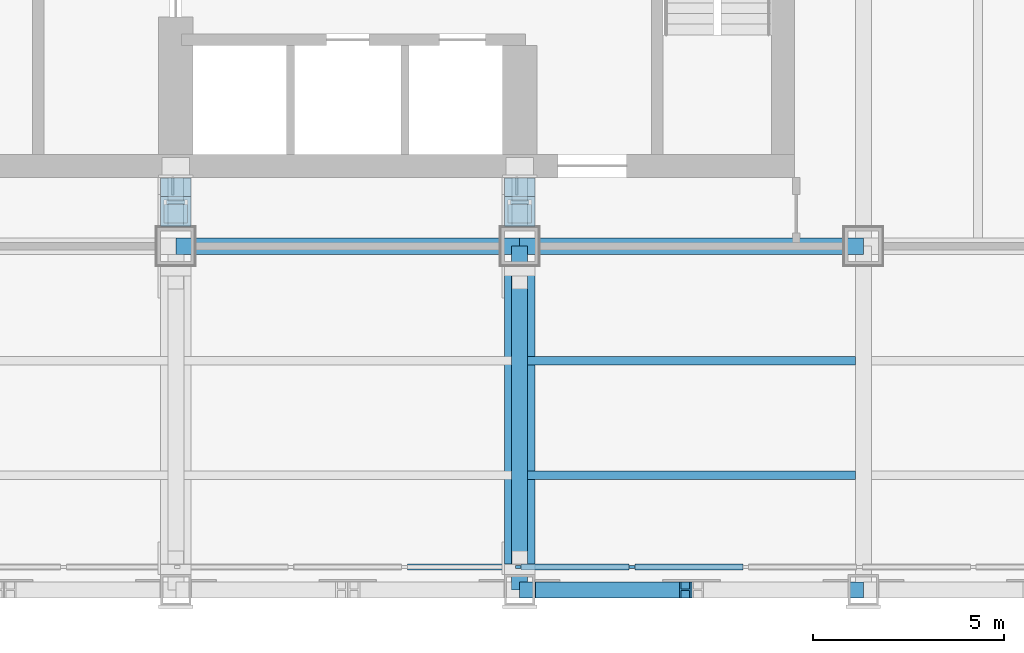
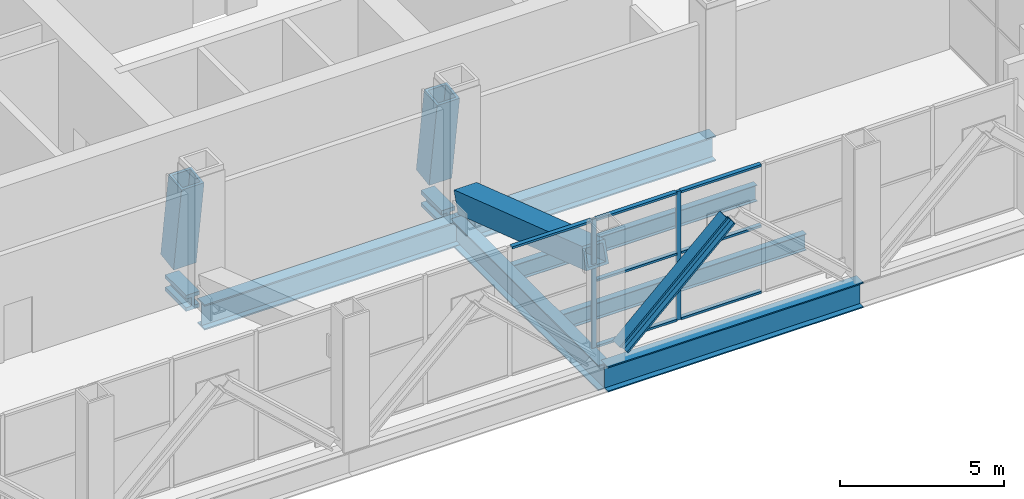
# One storey, part 3 of 16: 15 members, 6 beams, 1 element without a shape of its own.
"""IFC4 building model written with IfcOpenShell, lengths in metres."""

from ifc_helpers import new_model, si_unit, direction, frame, origin, origin_2d, place, context, subcontext, project, spatial, rectangle, hollow_rectangle, i_section, extrude, material, material_profile, profile_set, type_object, element, aggregate, save


model = new_model("IFC4")

# Units and contexts
model_context = context("Model", 3, precision=1e-05, world=origin(), true_north=direction((0.0, 1.0)))
body_context = subcontext(model_context, "Body", "Model", "MODEL_VIEW")
ifc_project = project(units=[si_unit("LENGTHUNIT", "METRE"), si_unit("AREAUNIT", "SQUARE_METRE"), si_unit("VOLUMEUNIT", "CUBIC_METRE"), si_unit("PLANEANGLEUNIT", "RADIAN"), si_unit("MASSUNIT", "GRAM", prefix="KILO")], contexts=[model_context])

# Site, building, storey
site_placement = place(None, origin())
site = spatial("IfcSite", under=ifc_project, at=site_placement, CompositionType="ELEMENT")
building_placement = place(site_placement, origin())
building = spatial("IfcBuilding", under=site, at=building_placement, Name="Loomwork Tower", CompositionType="ELEMENT")
storey_placement = place(building_placement, frame((0.0, 0.0, 155.39990234375)))
storey = spatial("IfcBuildingStorey", under=building, at=storey_placement, Name="L42", CompositionType="ELEMENT", Elevation=155.39990234375)

# Beam
ifc_material_1 = material(Name="Steel ASTM A992", Category="steel")
ifc_material_profile_1 = material_profile(ifc_material_1, i_section(OverallWidth=0.424072265625, OverallDepth=0.947509765625, WebThickness=0.02392578125, FlangeThickness=0.042724609375, at=origin_2d()), Name="W36x302")
ifc_profile_set_1 = profile_set([ifc_material_profile_1], Name="Steel ASTM A992")
beam_type_1 = type_object("IfcBeamType", Name="BELT CHORD SPANDREL W36x302", PredefinedType="SPANDREL", material=ifc_profile_set_1)
beam_1_placement = place(storey_placement, frame((27.0, 0.0, -0.7236328125), z_axis=(1.0, 0.0, 0.0), x_axis=(0.0, 1.0, 0.0)))
element("IfcBeam", 1, at=beam_1_placement, inside=storey, type_object=beam_type_1, Name="Belt Chord Spandrel D/5-D/6 L42", PredefinedType="SPANDREL", context=body_context, shape_type="SweptSolid", body=[
    extrude(i_section(OverallWidth=0.424072265625, OverallDepth=0.947509765625, WebThickness=0.02392578125, FlangeThickness=0.042724609375, at=origin_2d()), origin(), (0.0, 0.0, 1.0), 9.0),
])

# Members
ifc_material_2 = material(Name="Steel ASTM A992", Category="steel")
ifc_material_profile_2 = material_profile(ifc_material_2, i_section(OverallWidth=0.419189453125, OverallDepth=0.45458984375, WebThickness=0.042236328125, FlangeThickness=0.067626953125, at=origin_2d()), Name="W14x370")
ifc_profile_set_2 = profile_set([ifc_material_profile_2], Name="Steel ASTM A992")
member_type_1 = type_object("IfcMemberType", Name="BELT TRUSS DIAGONAL W14x370", PredefinedType="BRACE", material=ifc_profile_set_2)
member_1_placement = place(storey_placement, frame((27.564697265625, 0.0, 0.1767578125), z_axis=(0.733176969672, 0.0, 0.680037889491), x_axis=(0.0, 1.0, 0.0)))
element("IfcMember", 2, at=member_1_placement, inside=storey, type_object=member_type_1, Name="Belt truss diagonal D/5-D/6 L42", PredefinedType="BRACE", context=body_context, shape_type="SweptSolid", body=[
    extrude(i_section(OverallWidth=0.419189453125, OverallDepth=0.45458984375, WebThickness=0.042236328125, FlangeThickness=0.067626953125, at=origin_2d()), origin(), (0.0, 0.0, 1.0), 5.145751953125),
])
ifc_material_3 = material(Name="Steel ASTM A572 Grade 50 plate", Category="steel")
ifc_material_profile_3 = material_profile(ifc_material_3, hollow_rectangle(XDim=0.800048828125, YDim=0.800048828125, WallThickness=0.090087890625, at=origin_2d()), Name="BOX800x90")
ifc_profile_set_3 = profile_set([ifc_material_profile_3], Name="Steel ASTM A572 Grade 50 plate")
member_type_2 = type_object("IfcMemberType", Name="OUTRIGGER DIAGONAL BOX800x90", PredefinedType="BRACE", material=ifc_profile_set_3)
member_2_placement = place(storey_placement, frame((18.0, 9.90771484375, 3.781982421875), z_axis=(0.0, 0.146556688466, -0.98920227308), x_axis=(-1.0, 0.0, 0.0)))
element("IfcMember", 3, at=member_2_placement, inside=storey, type_object=member_type_2, Name="Outrigger diagonal E/4 L42", PredefinedType="BRACE", context=body_context, shape_type="SweptSolid", body=[
    extrude(hollow_rectangle(XDim=0.800048828125, YDim=0.800048828125, WallThickness=0.090087890625, at=origin_2d()), origin(), (0.0, 0.0, 1.0), 3.306640625),
])
member_3_placement = place(storey_placement, frame((27.0, 0.53955078125, 3.46142578125), z_axis=(0.0, 0.947848598928, -0.318720933593), x_axis=(-1.0, 0.0, 0.0)))
element("IfcMember", 4, at=member_3_placement, inside=storey, type_object=member_type_2, Name="Outrigger diagonal D/5 L42", PredefinedType="BRACE", context=body_context, shape_type="SweptSolid", body=[
    extrude(hollow_rectangle(XDim=0.800048828125, YDim=0.800048828125, WallThickness=0.090087890625, at=origin_2d()), origin(), (0.0, 0.0, 1.0), 8.25146484375),
])
member_4_placement = place(storey_placement, frame((27.0, 9.90771484375, 3.781982421875), z_axis=(0.0, 0.146556688466, -0.98920227308), x_axis=(-1.0, 0.0, 0.0)))
element("IfcMember", 5, at=member_4_placement, inside=storey, type_object=member_type_2, Name="Outrigger diagonal E/5 L42", PredefinedType="BRACE", context=body_context, shape_type="SweptSolid", body=[
    extrude(hollow_rectangle(XDim=0.800048828125, YDim=0.800048828125, WallThickness=0.090087890625, at=origin_2d()), origin(), (0.0, 0.0, 1.0), 3.306640625),
])

# Beams
ifc_material_4 = material(Name="Steel ASTM A992", Category="steel")
ifc_material_profile_4 = material_profile(ifc_material_4, i_section(OverallWidth=0.4267578125, OverallDepth=0.939697265625, WebThickness=0.028564453125, FlangeThickness=0.050537109375, at=origin_2d()), Name="W36x361")
ifc_profile_set_4 = profile_set([ifc_material_profile_4], Name="Steel ASTM A992")
beam_type_2 = type_object("IfcBeamType", Name="OUTRIGGER FLOOR GIRDER W36x361", PredefinedType="BEAM", material=ifc_profile_set_4)
for number, where, z_axis, x_axis, name in (
    (6, (18.0, 9.0, -0.7197265625), (1.0, 0.0, 0.0), (0.0, 1.0, 0.0), "Outrigger Floor Girder E/4-E/5 L42"),
    (7, (27.0, 9.0, -0.7197265625), (1.0, 0.0, 0.0), (0.0, 1.0, 0.0), "Outrigger Floor Girder E/5-E/6 L42"),
):
    element("IfcBeam", number, at=place(storey_placement, frame(where, z_axis=z_axis, x_axis=x_axis)), inside=storey, type_object=beam_type_2, Name=name, PredefinedType="BEAM", context=body_context, shape_type="SweptSolid", body=[
        extrude(i_section(OverallWidth=0.4267578125, OverallDepth=0.939697265625, WebThickness=0.028564453125, FlangeThickness=0.050537109375, at=origin_2d()), origin(), (0.0, 0.0, 1.0), 9.0),
    ])
ifc_material_5 = material(Name="Steel ASTM A992", Category="steel")
ifc_material_profile_5 = material_profile(ifc_material_5, i_section(OverallWidth=0.424072265625, OverallDepth=0.947509765625, WebThickness=0.02392578125, FlangeThickness=0.042724609375, at=origin_2d()), Name="W36x302")
ifc_profile_set_5 = profile_set([ifc_material_profile_5], Name="Steel ASTM A992")
beam_type_3 = type_object("IfcBeamType", Name="OUTRIGGER GIRDER W36x302", PredefinedType="BEAM", material=ifc_profile_set_5)
beam_2_placement = place(storey_placement, frame((27.0, 0.0, -0.7236328125), z_axis=(0.0, 1.0, 0.0), x_axis=(-1.0, 0.0, 0.0)))
element("IfcBeam", 8, at=beam_2_placement, inside=storey, type_object=beam_type_3, Name="Outrigger Girder D/5-E/5 L42", PredefinedType="BEAM", context=body_context, shape_type="SweptSolid", body=[
    extrude(i_section(OverallWidth=0.424072265625, OverallDepth=0.947509765625, WebThickness=0.02392578125, FlangeThickness=0.042724609375, at=origin_2d()), origin(), (0.0, 0.0, 1.0), 9.0),
])

# Members
ifc_material_6 = material(Name="Steel ASTM A992", Category="steel")
ifc_material_profile_6 = material_profile(ifc_material_6, i_section(OverallWidth=0.4775390625, OverallDepth=0.599365234375, WebThickness=0.10009765625, FlangeThickness=0.139892578125, at=origin_2d()), Name="W14x873")
ifc_profile_set_6 = profile_set([ifc_material_profile_6], Name="Steel ASTM A992")
member_type_3 = type_object("IfcMemberType", Name="OUTRIGGER STRUT W14x873", PredefinedType="STRUT", material=ifc_profile_set_6)
for number, where, z_axis, x_axis, name in (
    (9, (27.0, 9.510009765625, -0.549560546875), (0.0, 1.0, 0.0), (-1.0, 0.0, 0.0), "Outrigger strut E/5-27.000,11.100 L42"),
    (10, (18.0, 9.510009765625, -0.549560546875), (0.0, 1.0, 0.0), (-1.0, 0.0, 0.0), "Outrigger strut E/4-18.000,11.100 L42"),
):
    element("IfcMember", number, at=place(storey_placement, frame(where, z_axis=z_axis, x_axis=x_axis)), inside=storey, type_object=member_type_3, Name=name, PredefinedType="STRUT", context=body_context, shape_type="SweptSolid", body=[
        extrude(i_section(OverallWidth=0.4775390625, OverallDepth=0.599365234375, WebThickness=0.10009765625, FlangeThickness=0.139892578125, at=origin_2d()), origin(), (0.0, 0.0, 1.0), 1.27490234375),
    ])

# Beams
ifc_material_7 = material(Name="Steel ASTM A992", Category="steel")
ifc_material_profile_7 = material_profile(ifc_material_7, i_section(OverallWidth=0.228271484375, OverallDepth=0.607177734375, WebThickness=0.01123046875, FlangeThickness=0.017333984375, at=origin_2d()), Name="W24x76")
ifc_profile_set_7 = profile_set([ifc_material_profile_7], Name="Steel ASTM A992")
beam_type_4 = type_object("IfcBeamType", Name="PLANT FLOOR JOIST W24x76", PredefinedType="JOIST", material=ifc_profile_set_7)
for number, where, z_axis, x_axis, name in (
    (11, (27.2119140625, 3.0, -0.553466796875), (1.0, 0.0, 0.0), (0.0, 1.0, 0.0), "Plant Floor Joist 27.000,3.000-36.000,3.000 L42"),
    (12, (27.2119140625, 6.0, -0.553466796875), (1.0, 0.0, 0.0), (0.0, 1.0, 0.0), "Plant Floor Joist 27.000,6.000-36.000,6.000 L42"),
):
    element("IfcBeam", number, at=place(storey_placement, frame(where, z_axis=z_axis, x_axis=x_axis)), inside=storey, type_object=beam_type_4, Name=name, PredefinedType="JOIST", context=body_context, shape_type="SweptSolid", body=[
        extrude(i_section(OverallWidth=0.228271484375, OverallDepth=0.607177734375, WebThickness=0.01123046875, FlangeThickness=0.017333984375, at=origin_2d()), origin(), (0.0, 0.0, 1.0), 8.5751953125),
    ])

# Curtain wall, members
ifc_material_8 = material(Name="Aluminium louvre frame", Category="aluminium")
curtain_wall_type = type_object("IfcCurtainWallType", Name="Plant floor louvre screen", PredefinedType="NOTDEFINED", material=ifc_material_8)
curtain_wall_placement = place(storey_placement, origin())
curtain_wall = element("IfcCurtainWall", 13, at=curtain_wall_placement, inside=storey, type_object=curtain_wall_type, Name="Plant floor louvre screen cw/S", PredefinedType="NOTDEFINED")
ifc_material_9 = material(Name="Aluminium louvre frame", Category="aluminium")
ifc_material_profile_8 = material_profile(ifc_material_9, rectangle(XDim=0.080078125, YDim=0.14990234375, at=origin_2d()), Name="AL 80x150")
ifc_profile_set_8 = profile_set([ifc_material_profile_8], Name="Aluminium louvre frame")
member_type_4 = type_object("IfcMemberType", Name="Plant floor louvre screen mullion", PredefinedType="MULLION", material=ifc_profile_set_8)
member_5_placement = place(storey_placement, frame((26.96533203125, 0.60009765625, 0.0), z_axis=(0.0, 0.0, 1.0), x_axis=(0.0, 1.0, 0.0)))
member_5 = element("IfcMember", 14, at=member_5_placement, type_object=member_type_4, Name="CW4 mullion 9", PredefinedType="MULLION", context=body_context, shape_type="SweptSolid", body=[
    extrude(rectangle(XDim=0.080078125, YDim=0.14990234375, at=origin_2d()), origin(), (0.0, 0.0, 1.0), 4.800048828125),
])
member_6_placement = place(storey_placement, frame((29.9423828125, 0.60009765625, 0.0), z_axis=(0.0, 0.0, 1.0), x_axis=(0.0, 1.0, 0.0)))
member_6 = element("IfcMember", 15, at=member_6_placement, type_object=member_type_4, Name="CW4 mullion 10", PredefinedType="MULLION", context=body_context, shape_type="SweptSolid", body=[
    extrude(rectangle(XDim=0.080078125, YDim=0.14990234375, at=origin_2d()), origin(), (0.0, 0.0, 1.0), 4.800048828125),
])
ifc_material_10 = material(Name="Aluminium louvre frame", Category="aluminium")
ifc_material_profile_9 = material_profile(ifc_material_10, rectangle(XDim=0.14990234375, YDim=0.080078125, at=origin_2d()), Name="AL 80x150")
ifc_profile_set_9 = profile_set([ifc_material_profile_9], Name="Aluminium louvre frame")
member_type_5 = type_object("IfcMemberType", Name="Plant floor louvre screen transom", PredefinedType="USERDEFINED", material=ifc_profile_set_9)
member_7_placement = place(storey_placement, frame((24.0634765625, 0.60009765625, 4.760009765625), z_axis=(1.0, 0.0, 0.0), x_axis=(0.0, 1.0, 0.0)))
member_7 = element("IfcMember", 16, at=member_7_placement, type_object=member_type_5, Name="CW4 transom 8.3", ObjectType="TRANSOM", PredefinedType="USERDEFINED", context=body_context, shape_type="SweptSolid", body=[
    extrude(rectangle(XDim=0.14990234375, YDim=0.080078125, at=origin_2d()), origin(), (0.0, 0.0, 1.0), 2.826904296875),
])
member_8_placement = place(storey_placement, frame((27.040283203125, 0.60009765625, 0.0400390625), z_axis=(1.0, 0.0, 0.0), x_axis=(0.0, 1.0, 0.0)))
member_8 = element("IfcMember", 17, at=member_8_placement, type_object=member_type_5, Name="CW4 transom 9.1", ObjectType="TRANSOM", PredefinedType="USERDEFINED", context=body_context, shape_type="SweptSolid", body=[
    extrude(rectangle(XDim=0.14990234375, YDim=0.080078125, at=origin_2d()), origin(), (0.0, 0.0, 1.0), 2.826904296875),
])
member_9_placement = place(storey_placement, frame((27.040283203125, 0.60009765625, 2.5), z_axis=(1.0, 0.0, 0.0), x_axis=(0.0, 1.0, 0.0)))
member_9 = element("IfcMember", 18, at=member_9_placement, type_object=member_type_5, Name="CW4 transom 9.2", ObjectType="TRANSOM", PredefinedType="USERDEFINED", context=body_context, shape_type="SweptSolid", body=[
    extrude(rectangle(XDim=0.14990234375, YDim=0.080078125, at=origin_2d()), origin(), (0.0, 0.0, 1.0), 2.826904296875),
])
member_10_placement = place(storey_placement, frame((27.040283203125, 0.60009765625, 4.760009765625), z_axis=(1.0, 0.0, 0.0), x_axis=(0.0, 1.0, 0.0)))
member_10 = element("IfcMember", 19, at=member_10_placement, type_object=member_type_5, Name="CW4 transom 9.3", ObjectType="TRANSOM", PredefinedType="USERDEFINED", context=body_context, shape_type="SweptSolid", body=[
    extrude(rectangle(XDim=0.14990234375, YDim=0.080078125, at=origin_2d()), origin(), (0.0, 0.0, 1.0), 2.826904296875),
])
member_11_placement = place(storey_placement, frame((30.017333984375, 0.60009765625, 0.0400390625), z_axis=(1.0, 0.0, 0.0), x_axis=(0.0, 1.0, 0.0)))
member_11 = element("IfcMember", 20, at=member_11_placement, type_object=member_type_5, Name="CW4 transom 10.1", ObjectType="TRANSOM", PredefinedType="USERDEFINED", context=body_context, shape_type="SweptSolid", body=[
    extrude(rectangle(XDim=0.14990234375, YDim=0.080078125, at=origin_2d()), origin(), (0.0, 0.0, 1.0), 2.826904296875),
])
member_12_placement = place(storey_placement, frame((30.017333984375, 0.60009765625, 2.5), z_axis=(1.0, 0.0, 0.0), x_axis=(0.0, 1.0, 0.0)))
member_12 = element("IfcMember", 21, at=member_12_placement, type_object=member_type_5, Name="CW4 transom 10.2", ObjectType="TRANSOM", PredefinedType="USERDEFINED", context=body_context, shape_type="SweptSolid", body=[
    extrude(rectangle(XDim=0.14990234375, YDim=0.080078125, at=origin_2d()), origin(), (0.0, 0.0, 1.0), 2.826904296875),
])
member_13_placement = place(storey_placement, frame((30.017333984375, 0.60009765625, 4.760009765625), z_axis=(1.0, 0.0, 0.0), x_axis=(0.0, 1.0, 0.0)))
member_13 = element("IfcMember", 22, at=member_13_placement, type_object=member_type_5, Name="CW4 transom 10.3", ObjectType="TRANSOM", PredefinedType="USERDEFINED", context=body_context, shape_type="SweptSolid", body=[
    extrude(rectangle(XDim=0.14990234375, YDim=0.080078125, at=origin_2d()), origin(), (0.0, 0.0, 1.0), 2.826904296875),
])
aggregate(curtain_wall, [member_5, member_6, member_7, member_8, member_9, member_10, member_11, member_12, member_13])

save(model, "model.ifc")
